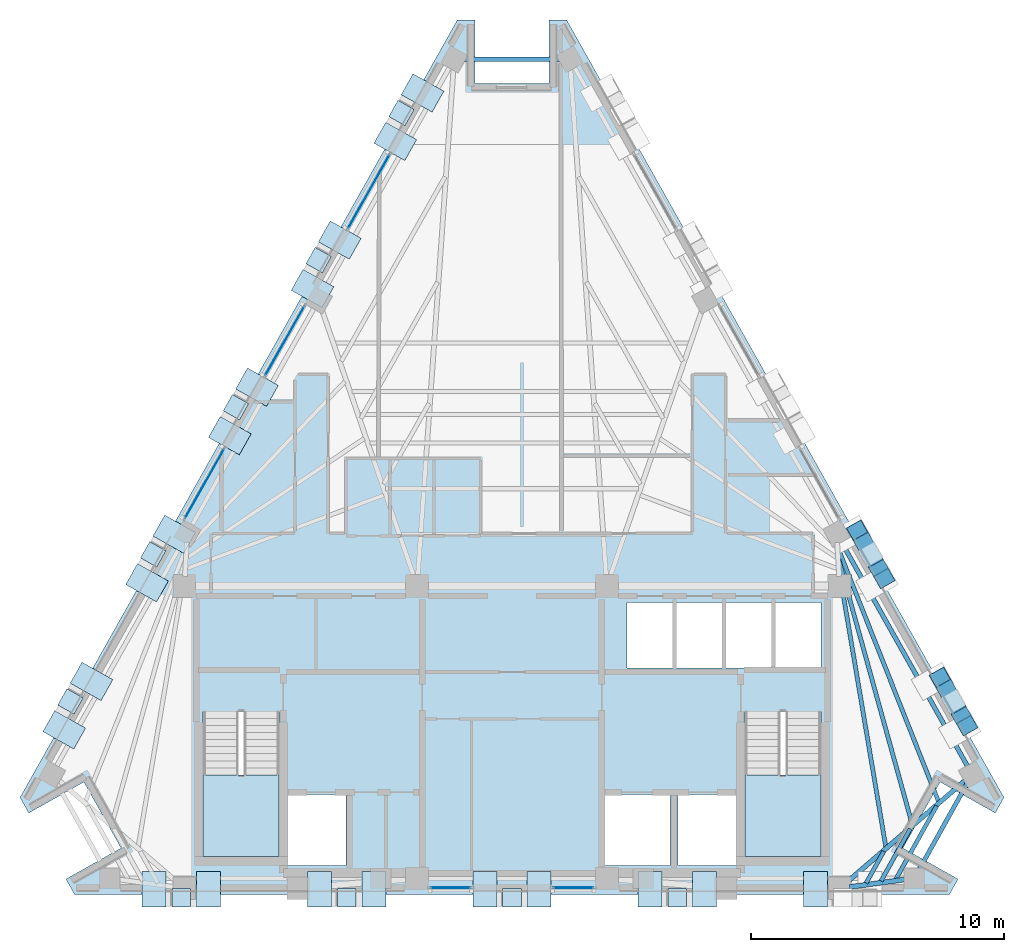
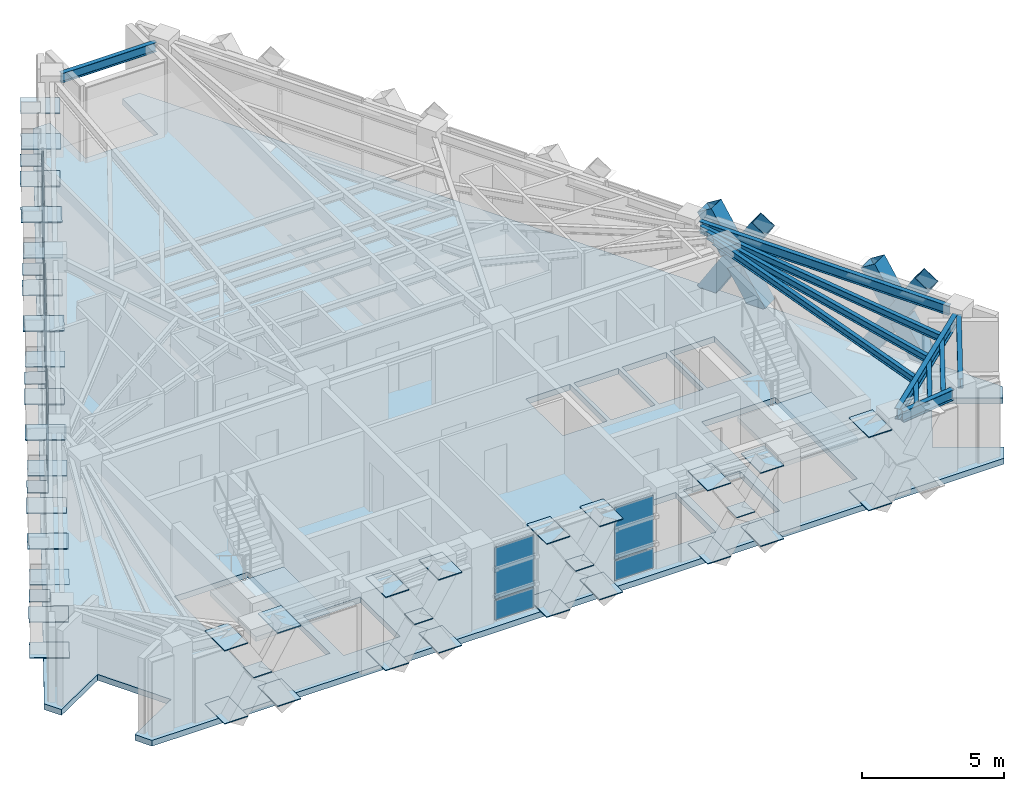
# One storey, part 5 of 11: 57 plates, 11 beams, 6 members, 3 slabs, 7 elements without a shape of their own.
"""IFC4 building model written with IfcOpenShell, lengths in metres."""

from ifc_helpers import new_model, si_unit, direction, frame, origin, origin_2d, place, context, subcontext, project, spatial, polyline, rectangle, hollow_rectangle, i_section, outline, extrude, material, layer, layer_set, material_profile, profile_set, type_object, element, aggregate, save


model = new_model("IFC4")

# Units and contexts
model_context = context("Model", 3, precision=1e-05, world=origin(), true_north=direction((0.0, 1.0)))
body_context = subcontext(model_context, "Body", "Model", "MODEL_VIEW")
ifc_project = project(units=[si_unit("LENGTHUNIT", "METRE"), si_unit("AREAUNIT", "SQUARE_METRE"), si_unit("VOLUMEUNIT", "CUBIC_METRE"), si_unit("PLANEANGLEUNIT", "RADIAN"), si_unit("MASSUNIT", "GRAM", prefix="KILO")], contexts=[model_context])

# Site, building, storey
site_placement = place(None, origin())
site = spatial("IfcSite", under=ifc_project, at=site_placement, CompositionType="ELEMENT")
building_placement = place(site_placement, origin())
building = spatial("IfcBuilding", under=site, at=building_placement, Name="Quenlor Broadcast Tower", CompositionType="ELEMENT")
storey_placement = place(building_placement, frame((0.0, 0.0, 263.89990234375)))
storey = spatial("IfcBuildingStorey", under=building, at=storey_placement, Name="L73", CompositionType="ELEMENT", Elevation=263.89990234375)

# Members
ifc_material_1 = material(Name="Steel S355", Category="steel")
ifc_material_profile_1 = material_profile(ifc_material_1, hollow_rectangle(XDim=0.679931640625, YDim=0.679931640625, WallThickness=0.02001953125, at=origin_2d()))
ifc_profile_set_1 = profile_set([ifc_material_profile_1], Name="Steel S355 RHS680x680x20")
member_type = type_object("IfcMemberType", Name="Perimeter Diagonal Lattice Brace Z5-Crown Steel S355 RHS680x20", PredefinedType="BRACE", material=ifc_profile_set_1)
member_1_placement = place(storey_placement, frame((13.635986328125, -2.5966796875, -0.119873046875), z_axis=(0.260563732169, -0.463283497491, 0.847038926161), x_axis=(0.871602253711, 0.49021374045, 0.0)))
element("IfcMember", 1, at=member_1_placement, inside=storey, type_object=member_type, Name="L73 Perimeter Diamond Lattice NE-C4XA", PredefinedType="BRACE", context=body_context, shape_type="SweptSolid", body=[
    extrude(hollow_rectangle(XDim=0.679931640625, YDim=0.679931640625, WallThickness=0.02001953125, at=origin_2d()), origin(), (0.0, 0.0, 1.0), 4.132080078125),
])
member_2_placement = place(storey_placement, frame((14.712646484375, -4.510986328125, -0.119873046875), z_axis=(-0.260577404715, 0.463203900539, 0.847078250622), x_axis=(-0.871555267041, -0.490297273593, 0.0)))
element("IfcMember", 2, at=member_2_placement, inside=storey, type_object=member_type, Name="L73 Perimeter Diamond Lattice NE-C4XB1", PredefinedType="BRACE", context=body_context, shape_type="SweptSolid", body=[
    extrude(hollow_rectangle(XDim=0.679931640625, YDim=0.679931640625, WallThickness=0.02001953125, at=origin_2d()), origin(), (0.0, 0.0, 1.0), 1.815673828125),
])
member_3_placement = place(storey_placement, frame((14.109130859375, -3.43798828125, 1.841796875), z_axis=(-0.260531504538, 0.463256741299, 0.847063472701), x_axis=(-0.871616063886, -0.490189185087, 0.0)))
element("IfcMember", 3, at=member_3_placement, inside=storey, type_object=member_type, Name="L73 Perimeter Diamond Lattice NE-C4XB2", PredefinedType="BRACE", context=body_context, shape_type="SweptSolid", body=[
    extrude(hollow_rectangle(XDim=0.679931640625, YDim=0.679931640625, WallThickness=0.02001953125, at=origin_2d()), origin(), (0.0, 0.0, 1.0), 1.816162109375),
])
member_4_placement = place(storey_placement, frame((16.905517578125, -8.40966796875, -0.119873046875), z_axis=(0.260618804175, -0.463276364439, 0.847025884529), x_axis=(0.8715547569, 0.490298180422, 0.0)))
element("IfcMember", 4, at=member_4_placement, inside=storey, type_object=member_type, Name="L73 Perimeter Diamond Lattice NE-C5XA", PredefinedType="BRACE", context=body_context, shape_type="SweptSolid", body=[
    extrude(hollow_rectangle(XDim=0.679931640625, YDim=0.679931640625, WallThickness=0.02001953125, at=origin_2d()), origin(), (0.0, 0.0, 1.0), 4.132080078125),
])
member_5_placement = place(storey_placement, frame((17.982421875, -10.323974609375, -0.119873046875), z_axis=(-0.26068648878, 0.463293264743, 0.846995811921), x_axis=(-0.871507987664, -0.490381308207, 0.0)))
element("IfcMember", 5, at=member_5_placement, inside=storey, type_object=member_type, Name="L73 Perimeter Diamond Lattice NE-C5XB1", PredefinedType="BRACE", context=body_context, shape_type="SweptSolid", body=[
    extrude(hollow_rectangle(XDim=0.679931640625, YDim=0.679931640625, WallThickness=0.02001953125, at=origin_2d()), origin(), (0.0, 0.0, 1.0), 1.81591796875),
])
member_6_placement = place(storey_placement, frame((17.37890625, -9.2509765625, 1.841796875), z_axis=(-0.260656806259, 0.463240512825, 0.847033798988), x_axis=(-0.871507987664, -0.490381308207, 0.0)))
element("IfcMember", 6, at=member_6_placement, inside=storey, type_object=member_type, Name="L73 Perimeter Diamond Lattice NE-C5XB2", PredefinedType="BRACE", context=body_context, shape_type="SweptSolid", body=[
    extrude(hollow_rectangle(XDim=0.679931640625, YDim=0.679931640625, WallThickness=0.02001953125, at=origin_2d()), origin(), (0.0, 0.0, 1.0), 1.816162109375),
])

# Beams
ifc_material_2 = material(Name="Steel S355", Category="steel")
ifc_material_profile_2 = material_profile(ifc_material_2, i_section(OverallWidth=0.177978515625, OverallDepth=0.406494140625, WebThickness=0.0078125, FlangeThickness=0.0126953125, FilletRadius=0.011474609375, at=origin_2d()))
ifc_profile_set_2 = profile_set([ifc_material_profile_2], Name="Steel S355 410UB59.7")
beam_type_1 = type_object("IfcBeamType", Name="Perimeter Spandrel Beam Z5 Steel S355 410UB59.7", PredefinedType="SPANDREL", material=ifc_profile_set_2)
beam_1_placement = place(storey_placement, frame((16.07275390625, -16.035400390625, 3.046875), z_axis=(0.486800618374, 0.873513112638, 0.0), x_axis=(-0.873513112638, 0.486800618374, 0.0)))
element("IfcBeam", 7, at=beam_1_placement, inside=storey, type_object=beam_type_1, Name="L73 Spandrel Beam S4-NE1", PredefinedType="SPANDREL", context=body_context, shape_type="SweptSolid", body=[
    extrude(i_section(OverallWidth=0.177978515625, OverallDepth=0.406494140625, WebThickness=0.0078125, FlangeThickness=0.0126953125, FilletRadius=0.011474609375, at=origin_2d()), origin(), (0.0, 0.0, 1.0), 3.9736328125),
])
beam_2_placement = place(storey_placement, frame((18.005859375, -11.93603515625, 3.046875), z_axis=(-0.490274867878, 0.871567871096, 0.0), x_axis=(-0.871567871096, -0.490274867878, 0.0)))
element("IfcBeam", 8, at=beam_2_placement, inside=storey, type_object=beam_type_1, Name="L73 Spandrel Beam NE1-NE2", PredefinedType="SPANDREL", context=body_context, shape_type="SweptSolid", body=[
    extrude(i_section(OverallWidth=0.177978515625, OverallDepth=0.406494140625, WebThickness=0.0078125, FlangeThickness=0.0126953125, FilletRadius=0.011474609375, at=origin_2d()), origin(), (0.0, 0.0, 1.0), 10.206298828125),
])
beam_3_placement = place(storey_placement, frame((1.9248046875, 16.012451171875, 3.046875), z_axis=(-1.0, 0.0, 0.0), x_axis=(0.0, -1.0, 0.0)))
element("IfcBeam", 9, at=beam_3_placement, inside=storey, type_object=beam_type_1, Name="L73 Spandrel Beam NE4-NW1", PredefinedType="SPANDREL", context=body_context, shape_type="SweptSolid", body=[
    extrude(i_section(OverallWidth=0.177978515625, OverallDepth=0.406494140625, WebThickness=0.0078125, FlangeThickness=0.0126953125, FilletRadius=0.011474609375, at=origin_2d()), origin(), (0.0, 0.0, 1.0), 3.849609375),
])
ifc_material_3 = material(Name="Steel S355", Category="steel")
ifc_material_profile_3 = material_profile(ifc_material_3, i_section(OverallWidth=0.166015625, OverallDepth=0.30712890625, WebThickness=0.006591796875, FlangeThickness=0.01171875, FilletRadius=0.011474609375, at=origin_2d()))
ifc_profile_set_3 = profile_set([ifc_material_profile_3], Name="Steel S355 310UB46.2")
beam_type_2 = type_object("IfcBeamType", Name="Tower Composite Joist Z4-Z5 Steel S355 310UB46.2", PredefinedType="JOIST", material=ifc_profile_set_3)
beam_4_placement = place(storey_placement, frame((14.76806640625, -15.09619140625, 3.096435546875), z_axis=(-0.166553293246, 0.986032454085, 0.0), x_axis=(-0.986032454085, -0.166553293246, 0.0)))
element("IfcBeam", 10, at=beam_4_placement, inside=storey, type_object=beam_type_2, Name="L73 Secondary Composite Joist 16", PredefinedType="JOIST", context=body_context, shape_type="SweptSolid", body=[
    extrude(i_section(OverallWidth=0.166015625, OverallDepth=0.30712890625, WebThickness=0.006591796875, FlangeThickness=0.01171875, FilletRadius=0.011474609375, at=origin_2d()), origin(), (0.0, 0.0, 1.0), 11.097900390625),
])
beam_5_placement = place(storey_placement, frame((15.806396484375, -14.197998046875, 3.096435546875), z_axis=(-0.26744552871, 0.96357298072, 0.0), x_axis=(-0.96357298072, -0.26744552871, 0.0)))
element("IfcBeam", 11, at=beam_5_placement, inside=storey, type_object=beam_type_2, Name="L73 Secondary Composite Joist 17", PredefinedType="JOIST", context=body_context, shape_type="SweptSolid", body=[
    extrude(i_section(OverallWidth=0.166015625, OverallDepth=0.30712890625, WebThickness=0.006591796875, FlangeThickness=0.01171875, FilletRadius=0.011474609375, at=origin_2d()), origin(), (0.0, 0.0, 1.0), 10.856689453125),
])
beam_6_placement = place(storey_placement, frame((16.8447265625, -13.300537109375, 3.096435546875), z_axis=(-0.368680258049, 0.929556274426, 0.0), x_axis=(-0.929556274426, -0.368680258049, 0.0)))
element("IfcBeam", 12, at=beam_6_placement, inside=storey, type_object=beam_type_2, Name="L73 Secondary Composite Joist 18", PredefinedType="JOIST", context=body_context, shape_type="SweptSolid", body=[
    extrude(i_section(OverallWidth=0.166015625, OverallDepth=0.30712890625, WebThickness=0.006591796875, FlangeThickness=0.01171875, FilletRadius=0.011474609375, at=origin_2d()), origin(), (0.0, 0.0, 1.0), 10.737548828125),
])
beam_7_placement = place(storey_placement, frame((13.9912109375, -16.544189453125, 3.096435546875), z_axis=(0.486624304452, 0.873611347406, 0.0), x_axis=(-0.873611347406, 0.486624304452, 0.0)))
element("IfcBeam", 13, at=beam_7_placement, inside=storey, type_object=beam_type_2, Name="L73 Secondary Composite Joist 22", PredefinedType="JOIST", context=body_context, shape_type="SweptSolid", body=[
    extrude(i_section(OverallWidth=0.166015625, OverallDepth=0.30712890625, WebThickness=0.006591796875, FlangeThickness=0.01171875, FilletRadius=0.011474609375, at=origin_2d()), origin(), (0.0, 0.0, 1.0), 1.435791015625),
])
beam_8_placement = place(storey_placement, frame((14.58056640625, -16.464111328125, 3.096435546875), z_axis=(0.486820963037, 0.873501774439, 0.0), x_axis=(-0.873501774439, 0.486820963037, 0.0)))
element("IfcBeam", 14, at=beam_8_placement, inside=storey, type_object=beam_type_2, Name="L73 Secondary Composite Joist 23", PredefinedType="JOIST", context=body_context, shape_type="SweptSolid", body=[
    extrude(i_section(OverallWidth=0.166015625, OverallDepth=0.30712890625, WebThickness=0.006591796875, FlangeThickness=0.01171875, FilletRadius=0.011474609375, at=origin_2d()), origin(), (0.0, 0.0, 1.0), 2.37451171875),
])
beam_9_placement = place(storey_placement, frame((15.170166015625, -16.384033203125, 3.096435546875), z_axis=(0.486762404011, 0.873534408046, 0.0), x_axis=(-0.873534408046, 0.486762404011, 0.0)))
element("IfcBeam", 15, at=beam_9_placement, inside=storey, type_object=beam_type_2, Name="L73 Secondary Composite Joist 24", PredefinedType="JOIST", context=body_context, shape_type="SweptSolid", body=[
    extrude(i_section(OverallWidth=0.166015625, OverallDepth=0.30712890625, WebThickness=0.006591796875, FlangeThickness=0.01171875, FilletRadius=0.011474609375, at=origin_2d()), origin(), (0.0, 0.0, 1.0), 3.313232421875),
])
ifc_material_4 = material(Name="Steel S355", Category="steel")
ifc_material_profile_4 = material_profile(ifc_material_4, i_section(OverallWidth=0.19091796875, OverallDepth=0.46044921875, WebThickness=0.010009765625, FlangeThickness=0.01611328125, FilletRadius=0.011474609375, at=origin_2d()))
ifc_profile_set_4 = profile_set([ifc_material_profile_4], Name="Steel S355 460UB82.1")
beam_type_3 = type_object("IfcBeamType", Name="Tower Primary Floor Beam Z5 Steel S355 460UB82.1", PredefinedType="BEAM", material=ifc_profile_set_4)
beam_10_placement = place(storey_placement, frame((15.541015625, -16.3984375, 3.02001953125), z_axis=(-0.990917044125, -0.134474576267, 0.0), x_axis=(0.134474576267, -0.990917044125, 0.0)))
element("IfcBeam", 16, at=beam_10_placement, inside=storey, type_object=beam_type_3, Name="L73 Primary Radial Beam S4", PredefinedType="BEAM", context=body_context, shape_type="SweptSolid", body=[
    extrude(i_section(OverallWidth=0.19091796875, OverallDepth=0.46044921875, WebThickness=0.010009765625, FlangeThickness=0.01611328125, FilletRadius=0.011474609375, at=origin_2d()), origin(), (0.0, 0.0, 1.0), 2.23486328125),
])
beam_11_placement = place(storey_placement, frame((17.909423828125, -12.484619140625, 3.02001953125), z_axis=(-0.75817030855, -0.652056579779, 0.0), x_axis=(0.652056579779, -0.75817030855, 0.0)))
element("IfcBeam", 17, at=beam_11_placement, inside=storey, type_object=beam_type_3, Name="L73 Primary Radial Beam NE1", PredefinedType="BEAM", context=body_context, shape_type="SweptSolid", body=[
    extrude(i_section(OverallWidth=0.19091796875, OverallDepth=0.46044921875, WebThickness=0.010009765625, FlangeThickness=0.01611328125, FilletRadius=0.011474609375, at=origin_2d()), origin(), (0.0, 0.0, 1.0), 6.161376953125),
])

# Curtain wall, plates
ifc_material_5 = material(Name="Architectural Terracotta and Low-E Glazing", Category="masonry")
curtain_wall_type = type_object("IfcCurtainWallType", Name="Unitised Terracotta Curtain Wall System Z5", PredefinedType="NOTDEFINED", material=ifc_material_5)
curtain_wall_1_placement = place(storey_placement, origin())
curtain_wall_1 = element("IfcCurtainWall", 18, at=curtain_wall_1_placement, inside=storey, type_object=curtain_wall_type, Name="L73 Curtain Wall CW5 (L73-S-G1)", PredefinedType="NOTDEFINED")
ifc_material_6 = material(Name="Double Glazed Low-E Solar Glass", Category="glass")
ifc_layer_1 = layer(ifc_material_6, 0.02587890625)
ifc_layer_set_1 = layer_set([ifc_layer_1], Name="CW5 Double Glazed Vision Panel 26")
plate_type_1 = type_object("IfcPlateType", Name="CW5 Double Glazed Vision Panel 26", PredefinedType="CURTAIN_PANEL", material=ifc_layer_set_1)
plate_1_placement = place(storey_placement, frame((2.42578125, -16.72509765625, 0.065185546875), z_axis=(0.0, 0.0, 1.0), x_axis=(-1.0, 0.0, 0.0)))
plate_1 = element("IfcPlate", 19, at=plate_1_placement, type_object=plate_type_1, Name="CW5 panel 1.1", PredefinedType="CURTAIN_PANEL", context=body_context, shape_type="SweptSolid", body=[
    extrude(rectangle(XDim=1.578369140625, YDim=0.02587890625, at=origin_2d()), origin(), (0.0, 0.0, 1.0), 0.8525390625),
])
plate_2_placement = place(storey_placement, frame((2.42578125, -16.72509765625, 0.982421875), z_axis=(0.0, 0.0, 1.0), x_axis=(-1.0, 0.0, 0.0)))
plate_2 = element("IfcPlate", 20, at=plate_2_placement, type_object=plate_type_1, Name="CW5 panel 1.2", PredefinedType="CURTAIN_PANEL", context=body_context, shape_type="SweptSolid", body=[
    extrude(rectangle(XDim=1.578369140625, YDim=0.02587890625, at=origin_2d()), origin(), (0.0, 0.0, 1.0), 2.202392578125),
])
aggregate(curtain_wall_1, [plate_1, plate_2])

curtain_wall_2_placement = place(storey_placement, origin())
curtain_wall_2 = element("IfcCurtainWall", 21, at=curtain_wall_2_placement, inside=storey, type_object=curtain_wall_type, Name="L73 Curtain Wall CW5 (L73-S-G2)", PredefinedType="NOTDEFINED")
plate_3_placement = place(storey_placement, frame((-2.42578125, -16.72509765625, 0.065185546875), z_axis=(0.0, 0.0, 1.0), x_axis=(-1.0, 0.0, 0.0)))
plate_3 = element("IfcPlate", 22, at=plate_3_placement, type_object=plate_type_1, Name="CW5 panel 1.1", PredefinedType="CURTAIN_PANEL", context=body_context, shape_type="SweptSolid", body=[
    extrude(rectangle(XDim=1.578369140625, YDim=0.02587890625, at=origin_2d()), origin(), (0.0, 0.0, 1.0), 0.8525390625),
])
plate_4_placement = place(storey_placement, frame((-2.42578125, -16.72509765625, 0.982421875), z_axis=(0.0, 0.0, 1.0), x_axis=(-1.0, 0.0, 0.0)))
plate_4 = element("IfcPlate", 23, at=plate_4_placement, type_object=plate_type_1, Name="CW5 panel 1.2", PredefinedType="CURTAIN_PANEL", context=body_context, shape_type="SweptSolid", body=[
    extrude(rectangle(XDim=1.578369140625, YDim=0.02587890625, at=origin_2d()), origin(), (0.0, 0.0, 1.0), 2.202392578125),
])
aggregate(curtain_wall_2, [plate_3, plate_4])

curtain_wall_3_placement = place(storey_placement, origin())
curtain_wall_3 = element("IfcCurtainWall", 24, at=curtain_wall_3_placement, inside=storey, type_object=curtain_wall_type, Name="L73 Curtain Wall CW5 (L73-NWC-G1)", PredefinedType="NOTDEFINED")
plate_5_placement = place(storey_placement, frame((-5.65576171875, 10.784423828125, 0.065185546875), z_axis=(0.0, 0.0, 1.0), x_axis=(0.490250335582, 0.871581670563, 0.0)))
plate_5 = element("IfcPlate", 25, at=plate_5_placement, type_object=plate_type_1, Name="CW5 panel 1.1", PredefinedType="CURTAIN_PANEL", context=body_context, shape_type="SweptSolid", body=[
    extrude(rectangle(XDim=3.353271484375, YDim=0.02587890625, at=origin_2d()), origin(), (0.0, 0.0, 1.0), 0.8525390625),
])
plate_6_placement = place(storey_placement, frame((-5.65576171875, 10.784423828125, 0.982421875), z_axis=(0.0, 0.0, 1.0), x_axis=(0.490250335582, 0.871581670563, 0.0)))
plate_6 = element("IfcPlate", 26, at=plate_6_placement, type_object=plate_type_1, Name="CW5 panel 1.2", PredefinedType="CURTAIN_PANEL", context=body_context, shape_type="SweptSolid", body=[
    extrude(rectangle(XDim=3.353271484375, YDim=0.02587890625, at=origin_2d()), origin(), (0.0, 0.0, 1.0), 2.202392578125),
])
aggregate(curtain_wall_3, [plate_5, plate_6])

curtain_wall_4_placement = place(storey_placement, origin())
curtain_wall_4 = element("IfcCurtainWall", 27, at=curtain_wall_4_placement, inside=storey, type_object=curtain_wall_type, Name="L73 Curtain Wall CW5 (L73-NW-G1)", PredefinedType="NOTDEFINED")
plate_7_placement = place(storey_placement, frame((-12.143798828125, -0.75, 0.065185546875), z_axis=(0.0, 0.0, 1.0), x_axis=(0.490262689797, 0.871574721405, 0.0)))
plate_7 = element("IfcPlate", 28, at=plate_7_placement, type_object=plate_type_1, Name="CW5 panel 1.1", PredefinedType="CURTAIN_PANEL", context=body_context, shape_type="SweptSolid", body=[
    extrude(rectangle(XDim=3.14404296875, YDim=0.02587890625, at=origin_2d()), origin(), (0.0, 0.0, 1.0), 0.8525390625),
])
plate_8_placement = place(storey_placement, frame((-12.143798828125, -0.75, 0.982421875), z_axis=(0.0, 0.0, 1.0), x_axis=(0.490262689797, 0.871574721405, 0.0)))
plate_8 = element("IfcPlate", 29, at=plate_8_placement, type_object=plate_type_1, Name="CW5 panel 1.2", PredefinedType="CURTAIN_PANEL", context=body_context, shape_type="SweptSolid", body=[
    extrude(rectangle(XDim=3.14404296875, YDim=0.02587890625, at=origin_2d()), origin(), (0.0, 0.0, 1.0), 2.202392578125),
])
aggregate(curtain_wall_4, [plate_7, plate_8])

curtain_wall_5_placement = place(storey_placement, origin())
curtain_wall_5 = element("IfcCurtainWall", 30, at=curtain_wall_5_placement, inside=storey, type_object=curtain_wall_type, Name="L73 Curtain Wall CW5 (L73-NW-G2)", PredefinedType="NOTDEFINED")
plate_9_placement = place(storey_placement, frame((-8.976806640625, 4.88037109375, 0.065185546875), z_axis=(0.0, 0.0, 1.0), x_axis=(0.490262689797, 0.871574721405, 0.0)))
plate_9 = element("IfcPlate", 31, at=plate_9_placement, type_object=plate_type_1, Name="CW5 panel 1.1", PredefinedType="CURTAIN_PANEL", context=body_context, shape_type="SweptSolid", body=[
    extrude(rectangle(XDim=3.14404296875, YDim=0.02587890625, at=origin_2d()), origin(), (0.0, 0.0, 1.0), 0.8525390625),
])
plate_10_placement = place(storey_placement, frame((-8.976806640625, 4.88037109375, 0.982421875), z_axis=(0.0, 0.0, 1.0), x_axis=(0.490262689797, 0.871574721405, 0.0)))
plate_10 = element("IfcPlate", 32, at=plate_10_placement, type_object=plate_type_1, Name="CW5 panel 1.2", PredefinedType="CURTAIN_PANEL", context=body_context, shape_type="SweptSolid", body=[
    extrude(rectangle(XDim=3.14404296875, YDim=0.02587890625, at=origin_2d()), origin(), (0.0, 0.0, 1.0), 2.202392578125),
])
aggregate(curtain_wall_5, [plate_9, plate_10])

# Plates
ifc_material_7 = material(Name="Steel S355", Category="steel")
ifc_layer_2 = layer(ifc_material_7, 0.028076171875)
ifc_layer_set_2 = layer_set([ifc_layer_2], Name="Perimeter Lattice Node Steel S355 Cap Plate 740x740x28")
plate_type_2 = type_object("IfcPlateType", Name="Perimeter Lattice Node Steel S355 Cap Plate 740x740x28", PredefinedType="USERDEFINED", material=ifc_layer_set_2)
for number, where, z_axis, x_axis, name in (
    (33, (6.531982421875, -17.1201171875, 1.6162109375), (0.0, 0.0, 1.0), (-1.0, 0.0, 0.0), "L73 Diamond Lattice Crossing Node S-C2"),
    (34, (0.0, -17.1201171875, 1.6162109375), (0.0, 0.0, 1.0), (-1.0, 0.0, 0.0), "L73 Diamond Lattice Crossing Node S-C3"),
    (35, (-6.531982421875, -17.1201171875, 1.6162109375), (0.0, 0.0, 1.0), (-1.0, 0.0, 0.0), "L73 Diamond Lattice Crossing Node S-C4"),
    (36, (-13.06396484375, -17.1201171875, 1.6162109375), (0.0, 0.0, 1.0), (-1.0, 0.0, 0.0), "L73 Diamond Lattice Crossing Node S-C5"),
    (37, (-17.444091796875, -9.36669921875, 1.6162109375), (0.0, 0.0, 1.0), (0.490295412055, 0.871556314255, 0.0), "L73 Diamond Lattice Crossing Node NW-C1"),
    (38, (-14.17431640625, -3.553955078125, 1.6162109375), (0.0, 0.0, 1.0), (0.490295412055, 0.871556314255, 0.0), "L73 Diamond Lattice Crossing Node NW-C2"),
    (39, (-10.904541015625, 2.2587890625, 1.6162109375), (0.0, 0.0, 1.0), (0.490295412055, 0.871556314255, 0.0), "L73 Diamond Lattice Crossing Node NW-C3"),
    (40, (-7.635009765625, 8.071533203125, 1.6162109375), (0.0, 0.0, 1.0), (0.490295412055, 0.871556314255, 0.0), "L73 Diamond Lattice Crossing Node NW-C4"),
    (41, (-4.365234375, 13.884521484375, 1.6162109375), (0.0, 0.0, 1.0), (0.490295412055, 0.871556314255, 0.0), "L73 Diamond Lattice Crossing Node NW-C5"),
):
    element("IfcPlate", number, at=place(storey_placement, frame(where, z_axis=z_axis, x_axis=x_axis)), inside=storey, type_object=plate_type_2, Name=name, ObjectType="CAP PLATE", PredefinedType="USERDEFINED", context=body_context, shape_type="SweptSolid", body=[
        extrude(rectangle(XDim=0.739990234375, YDim=0.739990234375, at=origin_2d()), origin(), (0.0, 0.0, 1.0), 0.028076171875),
    ])

# Stair, slab
ifc_material_8 = material(Name="Precast concrete C40/50", Category="concrete")
stair_type = type_object("IfcStairType", Name="Precast Concrete C40/50 Dogleg Stair H350", PredefinedType="HALF_TURN_STAIR", material=ifc_material_8)
stair_1_placement = place(storey_placement, origin())
stair_1 = element("IfcStair", 42, at=stair_1_placement, inside=storey, type_object=stair_type, Name="L73 West Core Fire-Isolated Exit Stair ST-1", PredefinedType="HALF_TURN_STAIR")
ifc_material_9 = material(Name="Precast concrete C40/50", Category="concrete")
ifc_layer_3 = layer(ifc_material_9, 0.199951171875)
ifc_layer_set_3 = layer_set([ifc_layer_3], Name="Precast Concrete C40/50 Stair Landing Slab 200")
slab_type_1 = type_object("IfcSlabType", Name="Precast Concrete C40/50 Stair Landing Slab 200", PredefinedType="LANDING", material=ifc_layer_set_3)
slab_1_placement = place(storey_placement, frame((0.0, 0.0, 1.550048828125)))
slab_1 = element("IfcSlab", 43, at=slab_1_placement, type_object=slab_type_1, Name="ST-1 landing 1", PredefinedType="LANDING", context=body_context, shape_type="SweptSolid", body=[
    extrude(outline(polyline([(-12.199951171875, -12.27001953125), (-12.199951171875, -15.5), (-9.199951171875, -15.5), (-9.199951171875, -12.27001953125), (-12.199951171875, -12.27001953125)])), origin(), (0.0, 0.0, 1.0), 0.199951171875),
])
aggregate(stair_1, [slab_1])

stair_2_placement = place(storey_placement, origin())
stair_2 = element("IfcStair", 44, at=stair_2_placement, inside=storey, type_object=stair_type, Name="L73 East Core Fire-Isolated Exit Stair ST-2", PredefinedType="HALF_TURN_STAIR")
slab_2_placement = place(storey_placement, frame((0.0, 0.0, 1.550048828125)))
slab_2 = element("IfcSlab", 45, at=slab_2_placement, type_object=slab_type_1, Name="ST-2 landing 1", PredefinedType="LANDING", context=body_context, shape_type="SweptSolid", body=[
    extrude(outline(polyline([(9.199951171875, -12.27001953125), (9.199951171875, -15.5), (12.199951171875, -15.5), (12.199951171875, -12.27001953125), (9.199951171875, -12.27001953125)])), origin(), (0.0, 0.0, 1.0), 0.199951171875),
])
aggregate(stair_2, [slab_2])

# Slab
ifc_material_10 = material(Name="Concrete C40/50", Category="concrete")
ifc_layer_4 = layer(ifc_material_10, 0.25)
ifc_layer_set_4 = layer_set([ifc_layer_4], Name="Tower Composite Concrete C40/50 Slab 250")
slab_type_2 = type_object("IfcSlabType", Name="Tower Composite Concrete C40/50 Slab 250", PredefinedType="FLOOR", material=ifc_layer_set_4)
slab_3_placement = place(storey_placement, frame((0.0, 0.0, -0.25)))
element("IfcSlab", 46, at=slab_3_placement, inside=storey, type_object=slab_type_2, Name="L73 Structural Floor Slab", PredefinedType="FLOOR", context=body_context, shape_type="SweptSolid", body=[
    extrude(outline(polyline([(17.280029296875, -17.0), (17.62548828125, -16.385498046875), (15.44677734375, -15.159912109375), (16.91552734375, -12.548583984375), (19.094482421875, -13.7744140625), (19.43994140625, -13.159912109375), (2.159912109375, 17.56005859375), (1.46875, 17.56005859375), (1.46875, 15.06005859375), (-1.46875, 15.06005859375), (-1.46875, 17.56005859375), (-2.159912109375, 17.56005859375), (-19.43994140625, -13.159912109375), (-19.094482421875, -13.7744140625), (-16.91552734375, -12.548583984375), (-15.44677734375, -15.159912109375), (-17.62548828125, -16.385498046875), (-17.280029296875, -17.0), (17.280029296875, -17.0)]), holes=[polyline([(-12.199951171875, -9.758056640625), (-12.199951171875, -15.5), (-9.199951171875, -15.5), (-9.199951171875, -9.758056640625), (-12.199951171875, -9.758056640625)]), polyline([(9.199951171875, -9.758056640625), (9.199951171875, -15.5), (12.199951171875, -15.5), (12.199951171875, -9.758056640625), (9.199951171875, -9.758056640625)]), polyline([(4.550048828125, -8.050048828125), (6.35009765625, -8.050048828125), (6.35009765625, -5.449951171875), (4.550048828125, -5.449951171875), (4.550048828125, -8.050048828125)]), polyline([(6.5, -8.050048828125), (8.300048828125, -8.050048828125), (8.300048828125, -5.449951171875), (6.5, -5.449951171875), (6.5, -8.050048828125)]), polyline([(8.449951171875, -8.050048828125), (10.25, -8.050048828125), (10.25, -5.449951171875), (8.449951171875, -5.449951171875), (8.449951171875, -8.050048828125)]), polyline([(10.39990234375, -8.050048828125), (12.199951171875, -8.050048828125), (12.199951171875, -5.449951171875), (10.39990234375, -5.449951171875), (10.39990234375, -8.050048828125)]), polyline([(-8.85009765625, -15.85009765625), (-6.550048828125, -15.85009765625), (-6.550048828125, -13.050048828125), (-8.85009765625, -13.050048828125), (-8.85009765625, -15.85009765625)]), polyline([(6.550048828125, -15.85009765625), (8.85009765625, -15.85009765625), (8.85009765625, -13.050048828125), (6.550048828125, -13.050048828125), (6.550048828125, -15.85009765625)]), polyline([(3.64990234375, -15.85009765625), (6.25, -15.85009765625), (6.25, -13.050048828125), (3.64990234375, -13.050048828125), (3.64990234375, -15.85009765625)])]), origin(), (0.0, 0.0, 1.0), 0.25),
])

# Plates
ifc_material_11 = material(Name="Steel S355", Category="steel")
ifc_layer_5 = layer(ifc_material_11, 0.035888671875)
ifc_layer_set_5 = layer_set([ifc_layer_5], Name="Transfer Truss Steel S355 Gusset Node Plate 1400x950x36")
plate_type_3 = type_object("IfcPlateType", Name="Transfer Truss Steel S355 Gusset Node Plate 1400x950x36", PredefinedType="SHEET", material=ifc_layer_set_5)
for number, where, z_axis, x_axis, name in (
    (47, (11.98828125, -16.784912109375, 3.18212890625), (0.0, 0.0, 1.0), (0.0, -1.0, 0.0), "L73 Lattice Tie Gusset Node S-T2"),
    (48, (11.98828125, -16.784912109375, 0.0419921875), (0.0, 0.0, 1.0), (0.0, -1.0, 0.0), "L73 Lattice Tie Gusset Node S-B2"),
    (49, (7.607666015625, -16.784912109375, 0.0419921875), (0.0, 0.0, 1.0), (0.0, -1.0, 0.0), "L73 Lattice Tie Gusset Node S-B4"),
    (50, (5.456298828125, -16.784912109375, 3.18212890625), (0.0, 0.0, 1.0), (0.0, -1.0, 0.0), "L73 Lattice Tie Gusset Node S-T5"),
    (51, (5.456298828125, -16.784912109375, 0.0419921875), (0.0, 0.0, 1.0), (0.0, -1.0, 0.0), "L73 Lattice Tie Gusset Node S-B5"),
    (52, (7.607666015625, -16.784912109375, 3.18212890625), (0.0, 0.0, 1.0), (0.0, -1.0, 0.0), "L73 Lattice Tie Gusset Node S-T4"),
    (53, (1.07568359375, -16.784912109375, 0.0419921875), (0.0, 0.0, 1.0), (0.0, -1.0, 0.0), "L73 Lattice Tie Gusset Node S-B7"),
    (54, (-1.07568359375, -16.784912109375, 3.18212890625), (0.0, 0.0, 1.0), (0.0, -1.0, 0.0), "L73 Lattice Tie Gusset Node S-T8"),
    (55, (-1.07568359375, -16.784912109375, 0.0419921875), (0.0, 0.0, 1.0), (0.0, -1.0, 0.0), "L73 Lattice Tie Gusset Node S-B8"),
    (56, (1.07568359375, -16.784912109375, 3.18212890625), (0.0, 0.0, 1.0), (0.0, -1.0, 0.0), "L73 Lattice Tie Gusset Node S-T7"),
    (57, (-5.456298828125, -16.784912109375, 0.0419921875), (0.0, 0.0, 1.0), (0.0, -1.0, 0.0), "L73 Lattice Tie Gusset Node S-B10"),
    (58, (-7.607666015625, -16.784912109375, 3.18212890625), (0.0, 0.0, 1.0), (0.0, -1.0, 0.0), "L73 Lattice Tie Gusset Node S-T11"),
    (59, (-7.607666015625, -16.784912109375, 0.0419921875), (0.0, 0.0, 1.0), (0.0, -1.0, 0.0), "L73 Lattice Tie Gusset Node S-B11"),
    (60, (-5.456298828125, -16.784912109375, 3.18212890625), (0.0, 0.0, 1.0), (0.0, -1.0, 0.0), "L73 Lattice Tie Gusset Node S-T10"),
    (61, (-11.98828125, -16.784912109375, 0.0419921875), (0.0, 0.0, 1.0), (0.0, -1.0, 0.0), "L73 Lattice Tie Gusset Node S-B13"),
    (62, (-14.1396484375, -16.784912109375, 3.18212890625), (0.0, 0.0, 1.0), (0.0, -1.0, 0.0), "L73 Lattice Tie Gusset Node S-T14"),
    (63, (-14.1396484375, -16.784912109375, 0.0419921875), (0.0, 0.0, 1.0), (0.0, -1.0, 0.0), "L73 Lattice Tie Gusset Node S-B14"),
    (64, (-11.98828125, -16.784912109375, 3.18212890625), (0.0, 0.0, 1.0), (0.0, -1.0, 0.0), "L73 Lattice Tie Gusset Node S-T13"),
    (65, (-17.6904296875, -10.48828125, 0.0419921875), (0.0, 0.0, 1.0), (-0.871556314255, 0.490295412055, 0.0), "L73 Lattice Tie Gusset Node NW-B1"),
    (66, (-16.613525390625, -8.57373046875, 3.18212890625), (0.0, 0.0, 1.0), (-0.871556314255, 0.490295412055, 0.0), "L73 Lattice Tie Gusset Node NW-T2"),
    (67, (-16.613525390625, -8.57373046875, 0.0419921875), (0.0, 0.0, 1.0), (-0.871556314255, 0.490295412055, 0.0), "L73 Lattice Tie Gusset Node NW-B2"),
    (68, (-17.6904296875, -10.48828125, 3.18212890625), (0.0, 0.0, 1.0), (-0.871556314255, 0.490295412055, 0.0), "L73 Lattice Tie Gusset Node NW-T1"),
    (69, (-14.420654296875, -4.67529296875, 0.0419921875), (0.0, 0.0, 1.0), (-0.871556314255, 0.490295412055, 0.0), "L73 Lattice Tie Gusset Node NW-B4"),
    (70, (-13.343994140625, -2.760986328125, 3.18212890625), (0.0, 0.0, 1.0), (-0.871556314255, 0.490295412055, 0.0), "L73 Lattice Tie Gusset Node NW-T5"),
    (71, (-13.343994140625, -2.760986328125, 0.0419921875), (0.0, 0.0, 1.0), (-0.871556314255, 0.490295412055, 0.0), "L73 Lattice Tie Gusset Node NW-B5"),
    (72, (-14.420654296875, -4.67529296875, 3.18212890625), (0.0, 0.0, 1.0), (-0.871556314255, 0.490295412055, 0.0), "L73 Lattice Tie Gusset Node NW-T4"),
    (73, (-11.15087890625, 1.137451171875, 0.0419921875), (0.0, 0.0, 1.0), (-0.871556314255, 0.490295412055, 0.0), "L73 Lattice Tie Gusset Node NW-B7"),
    (74, (-10.07421875, 3.0517578125, 3.18212890625), (0.0, 0.0, 1.0), (-0.871556314255, 0.490295412055, 0.0), "L73 Lattice Tie Gusset Node NW-T8"),
    (75, (-10.07421875, 3.0517578125, 0.0419921875), (0.0, 0.0, 1.0), (-0.871556314255, 0.490295412055, 0.0), "L73 Lattice Tie Gusset Node NW-B8"),
    (76, (-11.15087890625, 1.137451171875, 3.18212890625), (0.0, 0.0, 1.0), (-0.871556314255, 0.490295412055, 0.0), "L73 Lattice Tie Gusset Node NW-T7"),
    (77, (-7.88134765625, 6.9501953125, 0.0419921875), (0.0, 0.0, 1.0), (-0.871556314255, 0.490295412055, 0.0), "L73 Lattice Tie Gusset Node NW-B10"),
    (78, (-6.804443359375, 8.864501953125, 3.18212890625), (0.0, 0.0, 1.0), (-0.871556314255, 0.490295412055, 0.0), "L73 Lattice Tie Gusset Node NW-T11"),
    (79, (-6.804443359375, 8.864501953125, 0.0419921875), (0.0, 0.0, 1.0), (-0.871556314255, 0.490295412055, 0.0), "L73 Lattice Tie Gusset Node NW-B11"),
    (80, (-7.88134765625, 6.9501953125, 3.18212890625), (0.0, 0.0, 1.0), (-0.871556314255, 0.490295412055, 0.0), "L73 Lattice Tie Gusset Node NW-T10"),
    (81, (-4.611572265625, 12.762939453125, 0.0419921875), (0.0, 0.0, 1.0), (-0.871556314255, 0.490295412055, 0.0), "L73 Lattice Tie Gusset Node NW-B13"),
    (82, (-3.534912109375, 14.677490234375, 3.18212890625), (0.0, 0.0, 1.0), (-0.871556314255, 0.490295412055, 0.0), "L73 Lattice Tie Gusset Node NW-T14"),
    (83, (-3.534912109375, 14.677490234375, 0.0419921875), (0.0, 0.0, 1.0), (-0.871556314255, 0.490295412055, 0.0), "L73 Lattice Tie Gusset Node NW-B14"),
    (84, (-4.611572265625, 12.762939453125, 3.18212890625), (0.0, 0.0, 1.0), (-0.871556314255, 0.490295412055, 0.0), "L73 Lattice Tie Gusset Node NW-T13"),
):
    element("IfcPlate", number, at=place(storey_placement, frame(where, z_axis=z_axis, x_axis=x_axis)), inside=storey, type_object=plate_type_3, Name=name, PredefinedType="SHEET", context=body_context, shape_type="SweptSolid", body=[
        extrude(rectangle(XDim=1.39990234375, YDim=0.949951171875, at=origin_2d()), origin(), (0.0, 0.0, 1.0), 0.035888671875),
    ])

save(model, "model.ifc")
